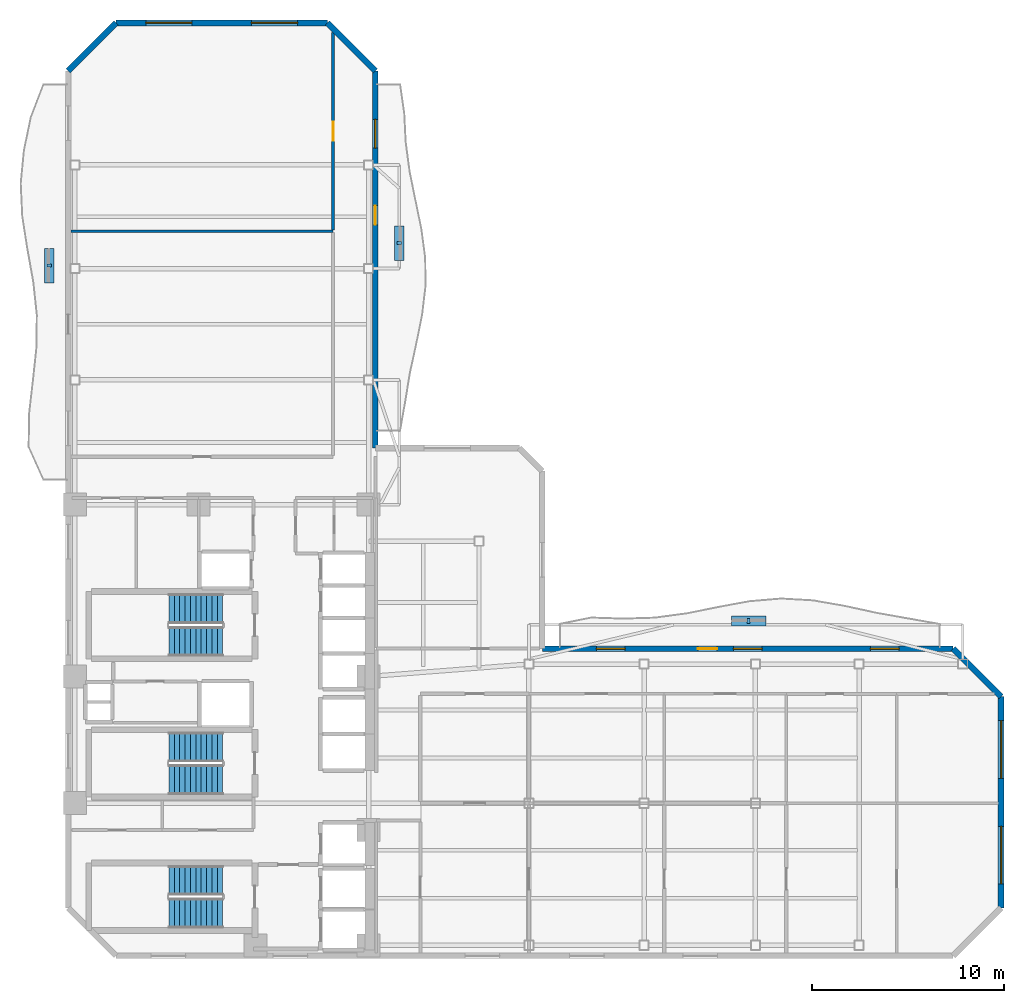
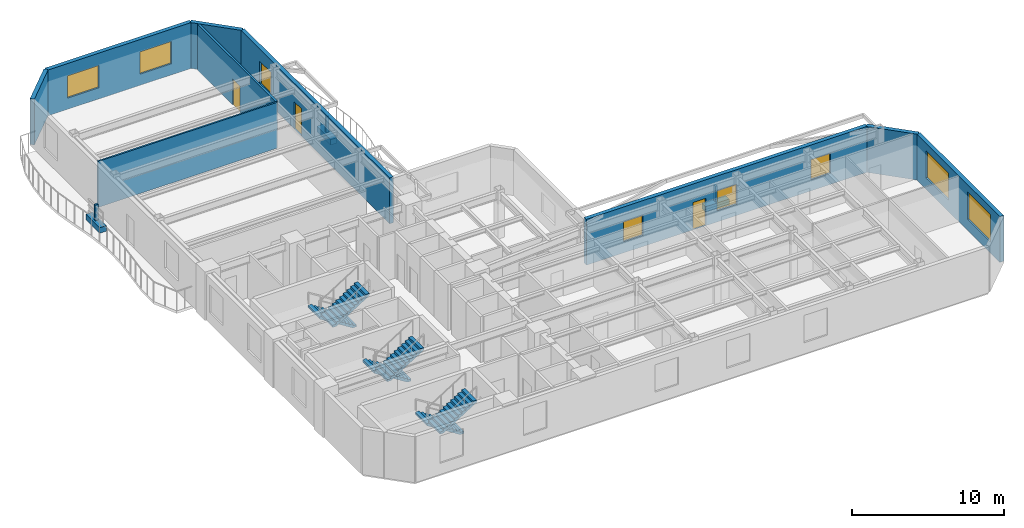
# One storey, part 6 of 9: 9 walls, 8 windows, 6 discrete accessories, 6 stair flights, 3 doors, 11 openings, 3 elements without a shape of their own.
"""IFC4 building model written with IfcOpenShell, lengths in metres."""

from ifc_helpers import new_model, si_unit, direction, frame, frame_2d, origin, origin_2d, place, context, subcontext, project, spatial, polyline, rectangle, outline, extrude, material, layer, layer_set, type_object, element, fill, aggregate, save


model = new_model("IFC4")

# Units and contexts
model_context = context("Model", 3, precision=1e-05, world=origin(), true_north=direction((0.0, 1.0)))
body_context = subcontext(model_context, "Body", "Model", "MODEL_VIEW")
ifc_project = project(units=[si_unit("LENGTHUNIT", "METRE"), si_unit("AREAUNIT", "SQUARE_METRE"), si_unit("VOLUMEUNIT", "CUBIC_METRE"), si_unit("PLANEANGLEUNIT", "RADIAN"), si_unit("MASSUNIT", "GRAM", prefix="KILO")], contexts=[model_context])

# Site, building, storey
site_placement = place(None, origin())
site = spatial("IfcSite", under=ifc_project, at=site_placement, CompositionType="ELEMENT")
building_placement = place(site_placement, origin())
building = spatial("IfcBuilding", under=site, at=building_placement, Name="Mawjaban Terraces University", CompositionType="ELEMENT")
storey_placement = place(building_placement, frame((0.0, 0.0, 138.5)))
storey = spatial("IfcBuildingStorey", under=building, at=storey_placement, Name="L33", CompositionType="ELEMENT", Elevation=138.5)

# Wall, opening, door
ifc_material_1 = material(Name="Fire-rated gypsum board on steel stud", Category="steel")
ifc_layer_1 = layer(ifc_material_1, 0.159912109375)
ifc_layer_set_1 = layer_set([ifc_layer_1], Name="Fire-rated gypsum board on steel stud")
wall_type_1 = type_object("IfcWallType", Name="CorridorPartition_160", PredefinedType="PARTITIONING", material=ifc_layer_set_1)
wall_1_placement = place(storey_placement, frame((35.800048828125, 48.094970703125, 0.0), z_axis=(0.0, 0.0, 1.0), x_axis=(0.0, -1.0, 0.0)))
wall_1 = element("IfcWall", 1, at=wall_1_placement, inside=storey, type_object=wall_type_1, Name="L33 Inner Terrace Gallery Corridor North Partition 36", PredefinedType="PARTITIONING", context=body_context, shape_type="SweptSolid", body=[
    extrude(rectangle(XDim=10.2880859375, YDim=0.159912109375, at=frame_2d((5.14404296875, 0.0))), origin(), (0.0, 0.0, 1.0), 3.68994140625),
])
opening_1_placement = place(wall_1_placement, frame((4.64404296875, 0.0, 0.0)))
opening_1 = element("IfcOpeningElement", 2, at=opening_1_placement, cuts=wall_1, Name="Opening ID-100", PredefinedType="OPENING", context=body_context, shape_type="SweptSolid", body=[
    extrude(rectangle(XDim=1.0, YDim=2.10009765625, at=frame_2d((0.5, 1.050048828125))), frame((0.0, 0.08984375, 0.0), z_axis=(0.0, -1.0, 0.0), x_axis=(1.0, 0.0, 0.0)), (0.0, 0.0, 1.0), 0.179931640625),
])
ifc_material_2 = material(Name="Powder-coated steel frame and solid acoustic timber leaf", Category="steel")
door_type_1 = type_object("IfcDoorType", Name="ClassroomDoor_1000x2100", OperationType="NOTDEFINED", PredefinedType="DOOR", material=ifc_material_2)
door_1_placement = place(opening_1_placement, origin())
door_1 = element("IfcDoor", 3, at=door_1_placement, inside=storey, type_object=door_type_1, Name="L33 Classroom 13 Door", OperationType="SINGLE_SWING_LEFT", OverallHeight=2.10009765625, OverallWidth=1.0, PredefinedType="DOOR", context=body_context, shape_type="SweptSolid", body=[
    extrude(rectangle(XDim=1.0, YDim=2.10009765625, at=frame_2d((0.5, 1.050048828125))), frame((0.0, 0.02490234375, 0.0), z_axis=(0.0, -1.0, 0.0), x_axis=(1.0, 0.0, 0.0)), (0.0, 0.0, 1.0), 0.050048828125),
])
fill(opening_1, door_1)

# Wall, openings, windows
ifc_material_3 = material(Name="Insulated terracotta rainscreen on concrete backup C40/50", Category="masonry")
ifc_layer_2 = layer(ifc_material_3, 0.300048828125)
ifc_layer_set_2 = layer_set([ifc_layer_2], Name="Insulated terracotta rainscreen on concrete backup C40/50")
wall_type_2 = type_object("IfcWallType", Name="ExtTerracottaWall_300", PredefinedType="SOLIDWALL", material=ifc_layer_set_2)
wall_2_placement = place(storey_placement, frame((70.60009765625, 2.5, 0.0), z_axis=(0.0, 0.0, 1.0), x_axis=(0.0, 1.0, 0.0)))
wall_2 = element("IfcWall", 4, at=wall_2_placement, inside=storey, type_object=wall_type_2, Name="L33 Exterior Terracotta Wall 3", PredefinedType="SOLIDWALL", context=body_context, shape_type="SweptSolid", body=[
    extrude(rectangle(XDim=11.0, YDim=0.300048828125, at=frame_2d((5.5, 0.0))), origin(), (0.0, 0.0, 1.0), 3.68994140625),
])
opening_2_placement = place(wall_2_placement, frame((1.25, 0.0, 0.89990234375)))
opening_2 = element("IfcOpeningElement", 5, at=opening_2_placement, cuts=wall_2, Name="Opening W-12", PredefinedType="OPENING", context=body_context, shape_type="SweptSolid", body=[
    extrude(rectangle(XDim=3.0, YDim=2.199951171875, at=frame_2d((1.5, 1.10009765625))), frame((0.0, 0.159912109375, 0.0), z_axis=(0.0, -1.0, 0.0), x_axis=(1.0, 0.0, 0.0)), (0.0, 0.0, 1.0), 0.320068359375),
])
opening_3_placement = place(wall_2_placement, frame((6.75, 0.0, 0.89990234375)))
opening_3 = element("IfcOpeningElement", 6, at=opening_3_placement, cuts=wall_2, Name="Opening W-12", PredefinedType="OPENING", context=body_context, shape_type="SweptSolid", body=[
    extrude(rectangle(XDim=3.0, YDim=2.199951171875, at=frame_2d((1.5, 1.10009765625))), frame((0.0, 0.159912109375, 0.0), z_axis=(0.0, -1.0, 0.0), x_axis=(1.0, 0.0, 0.0)), (0.0, 0.0, 1.0), 0.320068359375),
])
ifc_material_4 = material(Name="Low-E solar-control double glazing in thermally broken aluminium frame", Category="aluminium")
window_type_1 = type_object("IfcWindowType", Name="Win_3000x2200", PartitioningType="SINGLE_PANEL", PredefinedType="WINDOW", material=ifc_material_4)
window_1_placement = place(opening_2_placement, origin())
window_1 = element("IfcWindow", 7, at=window_1_placement, inside=storey, type_object=window_type_1, Name="L33 Facade Window 3.1", OverallHeight=2.199951171875, OverallWidth=3.0, PartitioningType="SINGLE_PANEL", PredefinedType="WINDOW", context=body_context, shape_type="SweptSolid", body=[
    extrude(rectangle(XDim=3.0, YDim=2.199951171875, at=frame_2d((1.5, 1.10009765625))), frame((0.0, 0.030029296875, 0.0), z_axis=(0.0, -1.0, 0.0), x_axis=(1.0, 0.0, 0.0)), (0.0, 0.0, 1.0), 0.06005859375),
])
fill(opening_2, window_1)
window_2_placement = place(opening_3_placement, origin())
window_2 = element("IfcWindow", 8, at=window_2_placement, inside=storey, type_object=window_type_1, Name="L33 Facade Window 3.2", OverallHeight=2.199951171875, OverallWidth=3.0, PartitioningType="SINGLE_PANEL", PredefinedType="WINDOW", context=body_context, shape_type="SweptSolid", body=[
    extrude(rectangle(XDim=3.0, YDim=2.199951171875, at=frame_2d((1.5, 1.10009765625))), frame((0.0, 0.030029296875, 0.0), z_axis=(0.0, -1.0, 0.0), x_axis=(1.0, 0.0, 0.0)), (0.0, 0.0, 1.0), 0.06005859375),
])
fill(opening_3, window_2)

# Wall
wall_3_placement = place(storey_placement, frame((70.60009765625, 13.5, 0.0), z_axis=(0.0, 0.0, 1.0), x_axis=(-0.707106781187, 0.707106781187, 0.0)))
element("IfcWall", 9, at=wall_3_placement, inside=storey, type_object=wall_type_2, Name="L33 Exterior Terracotta Wall 4", PredefinedType="SOLIDWALL", context=body_context, shape_type="SweptSolid", body=[
    extrude(rectangle(XDim=3.53564453125, YDim=0.300048828125, at=frame_2d((1.767822265625, 0.0))), origin(), (0.0, 0.0, 1.0), 3.68994140625),
])

# Wall, openings, door, windows
wall_4_placement = place(storey_placement, frame((68.10009765625, 16.0, 0.0), z_axis=(0.0, 0.0, 1.0), x_axis=(-1.0, 0.0, 0.0)))
wall_4 = element("IfcWall", 10, at=wall_4_placement, inside=storey, type_object=wall_type_2, Name="L33 Exterior Terracotta Wall 5", PredefinedType="SOLIDWALL", context=body_context, shape_type="SweptSolid", body=[
    extrude(rectangle(XDim=21.401123046875, YDim=0.300048828125, at=frame_2d((10.70068359375, 0.0))), origin(), (0.0, 0.0, 1.0), 3.68994140625),
])
opening_4_placement = place(wall_4_placement, frame((12.300048828125, 0.0, 0.0)))
opening_4 = element("IfcOpeningElement", 11, at=opening_4_placement, cuts=wall_4, Name="Opening BD-100", PredefinedType="OPENING", context=body_context, shape_type="SweptSolid", body=[
    extrude(rectangle(XDim=1.0, YDim=2.199951171875, at=frame_2d((0.5, 1.10009765625))), frame((0.0, 0.159912109375, 0.0), z_axis=(0.0, -1.0, 0.0), x_axis=(1.0, 0.0, 0.0)), (0.0, 0.0, 1.0), 0.320068359375),
])
opening_5_placement = place(wall_4_placement, frame((2.81689453125, 0.0, 0.89990234375)))
opening_5 = element("IfcOpeningElement", 12, at=opening_5_placement, cuts=wall_4, Name="Opening W-02", PredefinedType="OPENING", context=body_context, shape_type="SweptSolid", body=[
    extrude(rectangle(XDim=1.5, YDim=1.60009765625, at=frame_2d((0.75, 0.800048828125))), frame((0.0, 0.159912109375, 0.0), z_axis=(0.0, -1.0, 0.0), x_axis=(1.0, 0.0, 0.0)), (0.0, 0.0, 1.0), 0.320068359375),
])
opening_6_placement = place(wall_4_placement, frame((9.949951171875, 0.0, 0.89990234375)))
opening_6 = element("IfcOpeningElement", 13, at=opening_6_placement, cuts=wall_4, Name="Opening W-02", PredefinedType="OPENING", context=body_context, shape_type="SweptSolid", body=[
    extrude(rectangle(XDim=1.5, YDim=1.60009765625, at=frame_2d((0.75, 0.800048828125))), frame((0.0, 0.159912109375, 0.0), z_axis=(0.0, -1.0, 0.0), x_axis=(1.0, 0.0, 0.0)), (0.0, 0.0, 1.0), 0.320068359375),
])
opening_7_placement = place(wall_4_placement, frame((17.083984375, 0.0, 0.89990234375)))
opening_7 = element("IfcOpeningElement", 14, at=opening_7_placement, cuts=wall_4, Name="Opening W-02", PredefinedType="OPENING", context=body_context, shape_type="SweptSolid", body=[
    extrude(rectangle(XDim=1.5, YDim=1.60009765625, at=frame_2d((0.75, 0.800048828125))), frame((0.0, 0.159912109375, 0.0), z_axis=(0.0, -1.0, 0.0), x_axis=(1.0, 0.0, 0.0)), (0.0, 0.0, 1.0), 0.320068359375),
])
ifc_material_5 = material(Name="Thermally broken anodised aluminium and laminated safety glass", Category="aluminium")
door_type_2 = type_object("IfcDoorType", Name="BalconyGlazedDoor_1000x2200", OperationType="NOTDEFINED", PredefinedType="DOOR", material=ifc_material_5)
door_2_placement = place(opening_4_placement, origin())
door_2 = element("IfcDoor", 15, at=door_2_placement, inside=storey, type_object=door_type_2, Name="L33 Balcony Access Door inner_north", OperationType="SINGLE_SWING_RIGHT", OverallHeight=2.199951171875, OverallWidth=1.0, PredefinedType="DOOR", context=body_context, shape_type="SweptSolid", body=[
    extrude(rectangle(XDim=1.0, YDim=2.199951171875, at=frame_2d((0.5, 1.10009765625))), frame((0.0, 0.02490234375, 0.0), z_axis=(0.0, -1.0, 0.0), x_axis=(1.0, 0.0, 0.0)), (0.0, 0.0, 1.0), 0.050048828125),
])
fill(opening_4, door_2)
window_type_2 = type_object("IfcWindowType", Name="Win_1500x1600", PartitioningType="SINGLE_PANEL", PredefinedType="WINDOW", material=ifc_material_4)
window_3_placement = place(opening_5_placement, origin())
window_3 = element("IfcWindow", 16, at=window_3_placement, inside=storey, type_object=window_type_2, Name="L33 Facade Window 5.1", OverallHeight=1.60009765625, OverallWidth=1.5, PartitioningType="SINGLE_PANEL", PredefinedType="WINDOW", context=body_context, shape_type="SweptSolid", body=[
    extrude(rectangle(XDim=1.5, YDim=1.60009765625, at=frame_2d((0.75, 0.800048828125))), frame((0.0, 0.030029296875, 0.0), z_axis=(0.0, -1.0, 0.0), x_axis=(1.0, 0.0, 0.0)), (0.0, 0.0, 1.0), 0.06005859375),
])
fill(opening_5, window_3)
window_4_placement = place(opening_6_placement, origin())
window_4 = element("IfcWindow", 17, at=window_4_placement, inside=storey, type_object=window_type_2, Name="L33 Facade Window 5.2", OverallHeight=1.60009765625, OverallWidth=1.5, PartitioningType="SINGLE_PANEL", PredefinedType="WINDOW", context=body_context, shape_type="SweptSolid", body=[
    extrude(rectangle(XDim=1.5, YDim=1.60009765625, at=frame_2d((0.75, 0.800048828125))), frame((0.0, 0.030029296875, 0.0), z_axis=(0.0, -1.0, 0.0), x_axis=(1.0, 0.0, 0.0)), (0.0, 0.0, 1.0), 0.06005859375),
])
fill(opening_6, window_4)
window_5_placement = place(opening_7_placement, origin())
window_5 = element("IfcWindow", 18, at=window_5_placement, inside=storey, type_object=window_type_2, Name="L33 Facade Window 5.3", OverallHeight=1.60009765625, OverallWidth=1.5, PartitioningType="SINGLE_PANEL", PredefinedType="WINDOW", context=body_context, shape_type="SweptSolid", body=[
    extrude(rectangle(XDim=1.5, YDim=1.60009765625, at=frame_2d((0.75, 0.800048828125))), frame((0.0, 0.030029296875, 0.0), z_axis=(0.0, -1.0, 0.0), x_axis=(1.0, 0.0, 0.0)), (0.0, 0.0, 1.0), 0.06005859375),
])
fill(opening_7, window_5)

# Wall, openings, door, window
wall_5_placement = place(storey_placement, frame((38.0, 26.449951171875, 0.0), z_axis=(0.0, 0.0, 1.0), x_axis=(0.0, 1.0, 0.0)))
wall_5 = element("IfcWall", 19, at=wall_5_placement, inside=storey, type_object=wall_type_2, Name="L33 Exterior Terracotta Wall 9", PredefinedType="SOLIDWALL", context=body_context, shape_type="SweptSolid", body=[
    extrude(rectangle(XDim=19.650146484375, YDim=0.300048828125, at=frame_2d((9.8251953125, 0.0))), origin(), (0.0, 0.0, 1.0), 3.68994140625),
])
opening_8_placement = place(wall_5_placement, frame((11.625, 0.0, 0.0)))
opening_8 = element("IfcOpeningElement", 20, at=opening_8_placement, cuts=wall_5, Name="Opening BD-100", PredefinedType="OPENING", context=body_context, shape_type="SweptSolid", body=[
    extrude(rectangle(XDim=1.0, YDim=2.199951171875, at=frame_2d((0.5, 1.10009765625))), frame((0.0, 0.159912109375, 0.0), z_axis=(0.0, -1.0, 0.0), x_axis=(1.0, 0.0, 0.0)), (0.0, 0.0, 1.0), 0.320068359375),
])
opening_9_placement = place(wall_5_placement, frame((15.625, 0.0, 0.89990234375)))
opening_9 = element("IfcOpeningElement", 21, at=opening_9_placement, cuts=wall_5, Name="Opening W-06", PredefinedType="OPENING", context=body_context, shape_type="SweptSolid", body=[
    extrude(rectangle(XDim=1.5, YDim=1.800048828125, at=frame_2d((0.75, 0.89990234375))), frame((0.0, 0.159912109375, 0.0), z_axis=(0.0, -1.0, 0.0), x_axis=(1.0, 0.0, 0.0)), (0.0, 0.0, 1.0), 0.320068359375),
])
door_3_placement = place(opening_8_placement, origin())
door_3 = element("IfcDoor", 22, at=door_3_placement, inside=storey, type_object=door_type_2, Name="L33 Balcony Access Door inner_east", OperationType="SINGLE_SWING_RIGHT", OverallHeight=2.199951171875, OverallWidth=1.0, PredefinedType="DOOR", context=body_context, shape_type="SweptSolid", body=[
    extrude(rectangle(XDim=1.0, YDim=2.199951171875, at=frame_2d((0.5, 1.10009765625))), frame((0.0, 0.02490234375, 0.0), z_axis=(0.0, -1.0, 0.0), x_axis=(1.0, 0.0, 0.0)), (0.0, 0.0, 1.0), 0.050048828125),
])
fill(opening_8, door_3)
window_type_3 = type_object("IfcWindowType", Name="Win_1500x1800", PartitioningType="SINGLE_PANEL", PredefinedType="WINDOW", material=ifc_material_4)
window_6_placement = place(opening_9_placement, origin())
window_6 = element("IfcWindow", 23, at=window_6_placement, inside=storey, type_object=window_type_3, Name="L33 Facade Window 9.3", OverallHeight=1.800048828125, OverallWidth=1.5, PartitioningType="SINGLE_PANEL", PredefinedType="WINDOW", context=body_context, shape_type="SweptSolid", body=[
    extrude(rectangle(XDim=1.5, YDim=1.800048828125, at=frame_2d((0.75, 0.89990234375))), frame((0.0, 0.030029296875, 0.0), z_axis=(0.0, -1.0, 0.0), x_axis=(1.0, 0.0, 0.0)), (0.0, 0.0, 1.0), 0.06005859375),
])
fill(opening_9, window_6)

# Wall
wall_6_placement = place(storey_placement, frame((38.0, 46.10009765625, 0.0), z_axis=(0.0, 0.0, 1.0), x_axis=(-0.707106781187, 0.707106781187, 0.0)))
element("IfcWall", 24, at=wall_6_placement, inside=storey, type_object=wall_type_2, Name="L33 Exterior Terracotta Wall 10", PredefinedType="SOLIDWALL", context=body_context, shape_type="SweptSolid", body=[
    extrude(rectangle(XDim=3.53564453125, YDim=0.300048828125, at=frame_2d((1.767822265625, 0.0))), origin(), (0.0, 0.0, 1.0), 3.68994140625),
])

# Wall, openings, windows
wall_7_placement = place(storey_placement, frame((35.5, 48.60009765625, 0.0), z_axis=(0.0, 0.0, 1.0), x_axis=(-1.0, 0.0, 0.0)))
wall_7 = element("IfcWall", 25, at=wall_7_placement, inside=storey, type_object=wall_type_2, Name="L33 Exterior Terracotta Wall 11", PredefinedType="SOLIDWALL", context=body_context, shape_type="SweptSolid", body=[
    extrude(rectangle(XDim=11.0, YDim=0.300048828125, at=frame_2d((5.5, 0.0))), origin(), (0.0, 0.0, 1.0), 3.68994140625),
])
opening_10_placement = place(wall_7_placement, frame((1.550048828125, 0.0, 0.89990234375)))
opening_10 = element("IfcOpeningElement", 26, at=opening_10_placement, cuts=wall_7, Name="Opening W-08", PredefinedType="OPENING", context=body_context, shape_type="SweptSolid", body=[
    extrude(rectangle(XDim=2.39990234375, YDim=1.800048828125, at=frame_2d((1.199951171875, 0.89990234375))), frame((0.0, 0.159912109375, 0.0), z_axis=(0.0, -1.0, 0.0), x_axis=(1.0, 0.0, 0.0)), (0.0, 0.0, 1.0), 0.320068359375),
])
opening_11_placement = place(wall_7_placement, frame((7.050048828125, 0.0, 0.89990234375)))
opening_11 = element("IfcOpeningElement", 27, at=opening_11_placement, cuts=wall_7, Name="Opening W-08", PredefinedType="OPENING", context=body_context, shape_type="SweptSolid", body=[
    extrude(rectangle(XDim=2.39990234375, YDim=1.800048828125, at=frame_2d((1.199951171875, 0.89990234375))), frame((0.0, 0.159912109375, 0.0), z_axis=(0.0, -1.0, 0.0), x_axis=(1.0, 0.0, 0.0)), (0.0, 0.0, 1.0), 0.320068359375),
])
window_type_4 = type_object("IfcWindowType", Name="Win_2400x1800", PartitioningType="SINGLE_PANEL", PredefinedType="WINDOW", material=ifc_material_4)
window_7_placement = place(opening_10_placement, origin())
window_7 = element("IfcWindow", 28, at=window_7_placement, inside=storey, type_object=window_type_4, Name="L33 Facade Window 11.1", OverallHeight=1.800048828125, OverallWidth=2.39990234375, PartitioningType="SINGLE_PANEL", PredefinedType="WINDOW", context=body_context, shape_type="SweptSolid", body=[
    extrude(rectangle(XDim=2.39990234375, YDim=1.800048828125, at=frame_2d((1.199951171875, 0.89990234375))), frame((0.0, 0.030029296875, 0.0), z_axis=(0.0, -1.0, 0.0), x_axis=(1.0, 0.0, 0.0)), (0.0, 0.0, 1.0), 0.06005859375),
])
fill(opening_10, window_7)
window_8_placement = place(opening_11_placement, origin())
window_8 = element("IfcWindow", 29, at=window_8_placement, inside=storey, type_object=window_type_4, Name="L33 Facade Window 11.2", OverallHeight=1.800048828125, OverallWidth=2.39990234375, PartitioningType="SINGLE_PANEL", PredefinedType="WINDOW", context=body_context, shape_type="SweptSolid", body=[
    extrude(rectangle(XDim=2.39990234375, YDim=1.800048828125, at=frame_2d((1.199951171875, 0.89990234375))), frame((0.0, 0.030029296875, 0.0), z_axis=(0.0, -1.0, 0.0), x_axis=(1.0, 0.0, 0.0)), (0.0, 0.0, 1.0), 0.06005859375),
])
fill(opening_11, window_8)

# Walls
wall_8_placement = place(storey_placement, frame((24.5, 48.60009765625, 0.0), z_axis=(0.0, 0.0, 1.0), x_axis=(-0.707106781187, -0.707106781187, 0.0)))
element("IfcWall", 30, at=wall_8_placement, inside=storey, type_object=wall_type_2, Name="L33 Exterior Terracotta Wall 12", PredefinedType="SOLIDWALL", context=body_context, shape_type="SweptSolid", body=[
    extrude(rectangle(XDim=3.53564453125, YDim=0.300048828125, at=frame_2d((1.767822265625, 0.0))), origin(), (0.0, 0.0, 1.0), 3.68994140625),
])
ifc_material_6 = material(Name="Gypsum plasterboard on steel stud", Category="steel")
ifc_layer_3 = layer(ifc_material_6, 0.125)
ifc_layer_set_3 = layer_set([ifc_layer_3], Name="Gypsum plasterboard on steel stud")
wall_type_3 = type_object("IfcWallType", Name="OfficePartition_125", PredefinedType="PARTITIONING", material=ifc_layer_set_3)
wall_9_placement = place(storey_placement, frame((35.800048828125, 37.75, 0.0), z_axis=(0.0, 0.0, 1.0), x_axis=(-1.0, 0.0, 0.0)))
element("IfcWall", 31, at=wall_9_placement, inside=storey, type_object=wall_type_3, Name="L33 Departmental Office 12 Partition 12", PredefinedType="PARTITIONING", context=body_context, shape_type="SweptSolid", body=[
    extrude(rectangle(XDim=13.655029296875, YDim=0.125, at=frame_2d((6.82763671875, 0.0))), origin(), (0.0, 0.0, 1.0), 3.68994140625),
])

# Stair, stair flights
ifc_material_7 = material(Name="Concrete C40/50", Category="concrete")
stair_type = type_object("IfcStairType", Name="Stair_Core1550_H39", PredefinedType="HALF_TURN_STAIR", material=ifc_material_7)
stair_1_placement = place(storey_placement, origin())
stair_1 = element("IfcStair", 32, at=stair_1_placement, inside=storey, type_object=stair_type, Name="L33 Core Exit Stair 1", PredefinedType="HALF_TURN_STAIR")
stair_flight_type = type_object("IfcStairFlightType", Name="Flight_Core1550_H39", PredefinedType="STRAIGHT", material=ifc_material_7)
stair_flight_1_placement = place(storey_placement, frame((30.050048828125, 3.925048828125, 0.0), z_axis=(0.0, 0.0, 1.0), x_axis=(-1.0, 0.0, 0.0)))
stair_flight_1 = element("IfcStairFlight", 33, at=stair_flight_1_placement, type_object=stair_flight_type, Name="ST-1 flight 1", NumberOfRisers=11, NumberOfTreads=10, PredefinedType="STRAIGHT", RiserHeight=0.177272727, TreadLength=0.28, context=body_context, shape_type="SweptSolid", body=[
    extrude(outline(polyline([(0.0, 0.0), (0.0, 0.17724609375), (0.280029296875, 0.17724609375), (0.280029296875, 0.3544921875), (0.56005859375, 0.3544921875), (0.56005859375, 0.53173828125), (0.840087890625, 0.53173828125), (0.840087890625, 0.708984375), (1.1201171875, 0.708984375), (1.1201171875, 0.886474609375), (1.39990234375, 0.886474609375), (1.39990234375, 1.063720703125), (1.679931640625, 1.063720703125), (1.679931640625, 1.240966796875), (1.9599609375, 1.240966796875), (1.9599609375, 1.418212890625), (2.239990234375, 1.418212890625), (2.239990234375, 1.595458984375), (2.52001953125, 1.595458984375), (2.52001953125, 1.772705078125), (2.800048828125, 1.772705078125), (2.800048828125, 1.949951171875), (2.800048828125, 1.59521484375), (0.2802734375, 0.0), (0.0, 0.0)])), frame((0.0, 0.77490234375, 0.0), z_axis=(0.0, -1.0, 0.0), x_axis=(1.0, 0.0, 0.0)), (0.0, 0.0, 1.0), 1.550048828125),
])
stair_flight_2_placement = place(storey_placement, frame((27.25, 2.22509765625, 1.949951171875), z_axis=(0.0, 0.0, 1.0), x_axis=(1.0, 0.0, 0.0)))
stair_flight_2 = element("IfcStairFlight", 34, at=stair_flight_2_placement, type_object=stair_flight_type, Name="ST-1 flight 2", NumberOfRisers=11, NumberOfTreads=10, PredefinedType="STRAIGHT", RiserHeight=0.177272727, TreadLength=0.28, context=body_context, shape_type="SweptSolid", body=[
    extrude(outline(polyline([(0.0, 0.0), (0.0, 0.17724609375), (0.280029296875, 0.17724609375), (0.280029296875, 0.3544921875), (0.56005859375, 0.3544921875), (0.56005859375, 0.53173828125), (0.840087890625, 0.53173828125), (0.840087890625, 0.708984375), (1.1201171875, 0.708984375), (1.1201171875, 0.886474609375), (1.39990234375, 0.886474609375), (1.39990234375, 1.063720703125), (1.679931640625, 1.063720703125), (1.679931640625, 1.240966796875), (1.9599609375, 1.240966796875), (1.9599609375, 1.418212890625), (2.239990234375, 1.418212890625), (2.239990234375, 1.595458984375), (2.52001953125, 1.595458984375), (2.52001953125, 1.772705078125), (2.800048828125, 1.772705078125), (2.800048828125, 1.949951171875), (2.800048828125, 1.59521484375), (0.2802734375, 0.0), (0.0, 0.0)])), frame((0.0, 0.77490234375, 0.0), z_axis=(0.0, -1.0, 0.0), x_axis=(1.0, 0.0, 0.0)), (0.0, 0.0, 1.0), 1.550048828125),
])
aggregate(stair_1, [stair_flight_1, stair_flight_2])

stair_2_placement = place(storey_placement, origin())
stair_2 = element("IfcStair", 35, at=stair_2_placement, inside=storey, type_object=stair_type, Name="L33 Core Exit Stair 2", PredefinedType="HALF_TURN_STAIR")
stair_flight_3_placement = place(storey_placement, frame((30.050048828125, 18.074951171875, 0.0), z_axis=(0.0, 0.0, 1.0), x_axis=(-1.0, 0.0, 0.0)))
stair_flight_3 = element("IfcStairFlight", 36, at=stair_flight_3_placement, type_object=stair_flight_type, Name="ST-2 flight 1", NumberOfRisers=11, NumberOfTreads=10, PredefinedType="STRAIGHT", RiserHeight=0.177272727, TreadLength=0.28, context=body_context, shape_type="SweptSolid", body=[
    extrude(outline(polyline([(0.0, 0.0), (0.0, 0.17724609375), (0.280029296875, 0.17724609375), (0.280029296875, 0.3544921875), (0.56005859375, 0.3544921875), (0.56005859375, 0.53173828125), (0.840087890625, 0.53173828125), (0.840087890625, 0.708984375), (1.1201171875, 0.708984375), (1.1201171875, 0.886474609375), (1.39990234375, 0.886474609375), (1.39990234375, 1.063720703125), (1.679931640625, 1.063720703125), (1.679931640625, 1.240966796875), (1.9599609375, 1.240966796875), (1.9599609375, 1.418212890625), (2.239990234375, 1.418212890625), (2.239990234375, 1.595458984375), (2.52001953125, 1.595458984375), (2.52001953125, 1.772705078125), (2.800048828125, 1.772705078125), (2.800048828125, 1.949951171875), (2.800048828125, 1.59521484375), (0.2802734375, 0.0), (0.0, 0.0)])), frame((0.0, 0.77490234375, 0.0), z_axis=(0.0, -1.0, 0.0), x_axis=(1.0, 0.0, 0.0)), (0.0, 0.0, 1.0), 1.550048828125),
])
stair_flight_4_placement = place(storey_placement, frame((27.25, 16.375, 1.949951171875), z_axis=(0.0, 0.0, 1.0), x_axis=(1.0, 0.0, 0.0)))
stair_flight_4 = element("IfcStairFlight", 37, at=stair_flight_4_placement, type_object=stair_flight_type, Name="ST-2 flight 2", NumberOfRisers=11, NumberOfTreads=10, PredefinedType="STRAIGHT", RiserHeight=0.177272727, TreadLength=0.28, context=body_context, shape_type="SweptSolid", body=[
    extrude(outline(polyline([(0.0, 0.0), (0.0, 0.17724609375), (0.280029296875, 0.17724609375), (0.280029296875, 0.3544921875), (0.56005859375, 0.3544921875), (0.56005859375, 0.53173828125), (0.840087890625, 0.53173828125), (0.840087890625, 0.708984375), (1.1201171875, 0.708984375), (1.1201171875, 0.886474609375), (1.39990234375, 0.886474609375), (1.39990234375, 1.063720703125), (1.679931640625, 1.063720703125), (1.679931640625, 1.240966796875), (1.9599609375, 1.240966796875), (1.9599609375, 1.418212890625), (2.239990234375, 1.418212890625), (2.239990234375, 1.595458984375), (2.52001953125, 1.595458984375), (2.52001953125, 1.772705078125), (2.800048828125, 1.772705078125), (2.800048828125, 1.949951171875), (2.800048828125, 1.59521484375), (0.2802734375, 0.0), (0.0, 0.0)])), frame((0.0, 0.77490234375, 0.0), z_axis=(0.0, -1.0, 0.0), x_axis=(1.0, 0.0, 0.0)), (0.0, 0.0, 1.0), 1.550048828125),
])
aggregate(stair_2, [stair_flight_3, stair_flight_4])

stair_3_placement = place(storey_placement, origin())
stair_3 = element("IfcStair", 38, at=stair_3_placement, inside=storey, type_object=stair_type, Name="L33 Core Exit Stair 3", PredefinedType="HALF_TURN_STAIR")
stair_flight_5_placement = place(storey_placement, frame((30.050048828125, 10.875, 0.0), z_axis=(0.0, 0.0, 1.0), x_axis=(-1.0, 0.0, 0.0)))
stair_flight_5 = element("IfcStairFlight", 39, at=stair_flight_5_placement, type_object=stair_flight_type, Name="ST-3 flight 1", NumberOfRisers=11, NumberOfTreads=10, PredefinedType="STRAIGHT", RiserHeight=0.177272727, TreadLength=0.28, context=body_context, shape_type="SweptSolid", body=[
    extrude(outline(polyline([(0.0, 0.0), (0.0, 0.17724609375), (0.280029296875, 0.17724609375), (0.280029296875, 0.3544921875), (0.56005859375, 0.3544921875), (0.56005859375, 0.53173828125), (0.840087890625, 0.53173828125), (0.840087890625, 0.708984375), (1.1201171875, 0.708984375), (1.1201171875, 0.886474609375), (1.39990234375, 0.886474609375), (1.39990234375, 1.063720703125), (1.679931640625, 1.063720703125), (1.679931640625, 1.240966796875), (1.9599609375, 1.240966796875), (1.9599609375, 1.418212890625), (2.239990234375, 1.418212890625), (2.239990234375, 1.595458984375), (2.52001953125, 1.595458984375), (2.52001953125, 1.772705078125), (2.800048828125, 1.772705078125), (2.800048828125, 1.949951171875), (2.800048828125, 1.59521484375), (0.2802734375, 0.0), (0.0, 0.0)])), frame((0.0, 0.77490234375, 0.0), z_axis=(0.0, -1.0, 0.0), x_axis=(1.0, 0.0, 0.0)), (0.0, 0.0, 1.0), 1.550048828125),
])
stair_flight_6_placement = place(storey_placement, frame((27.25, 9.175048828125, 1.949951171875), z_axis=(0.0, 0.0, 1.0), x_axis=(1.0, 0.0, 0.0)))
stair_flight_6 = element("IfcStairFlight", 40, at=stair_flight_6_placement, type_object=stair_flight_type, Name="ST-3 flight 2", NumberOfRisers=11, NumberOfTreads=10, PredefinedType="STRAIGHT", RiserHeight=0.177272727, TreadLength=0.28, context=body_context, shape_type="SweptSolid", body=[
    extrude(outline(polyline([(0.0, 0.0), (0.0, 0.17724609375), (0.280029296875, 0.17724609375), (0.280029296875, 0.3544921875), (0.56005859375, 0.3544921875), (0.56005859375, 0.53173828125), (0.840087890625, 0.53173828125), (0.840087890625, 0.708984375), (1.1201171875, 0.708984375), (1.1201171875, 0.886474609375), (1.39990234375, 0.886474609375), (1.39990234375, 1.063720703125), (1.679931640625, 1.063720703125), (1.679931640625, 1.240966796875), (1.9599609375, 1.240966796875), (1.9599609375, 1.418212890625), (2.239990234375, 1.418212890625), (2.239990234375, 1.595458984375), (2.52001953125, 1.595458984375), (2.52001953125, 1.772705078125), (2.800048828125, 1.772705078125), (2.800048828125, 1.949951171875), (2.800048828125, 1.59521484375), (0.2802734375, 0.0), (0.0, 0.0)])), frame((0.0, 0.77490234375, 0.0), z_axis=(0.0, -1.0, 0.0), x_axis=(1.0, 0.0, 0.0)), (0.0, 0.0, 1.0), 1.550048828125),
])
aggregate(stair_3, [stair_flight_5, stair_flight_6])

# Discrete accessories
ifc_material_8 = material(Name="Stainless steel 316L", Category="steel")
discrete_accessory_type_1 = type_object("IfcDiscreteAccessoryType", Name="FacadeScreenBracket_Steel", PredefinedType="BRACKET", material=ifc_material_8)
for number, where, z_axis, x_axis, name in (
    (41, (21.012939453125, 35.958984375, 0.419921875), (0.0, 0.0, 1.0), (0.0, 1.0, 0.0), "L33 Balcony Screen Support Bracket west"),
    (42, (57.446044921875, 17.43994140625, 0.419921875), (0.0, 0.0, 1.0), (1.0, 0.0, 0.0), "L33 Balcony Screen Support Bracket inner_north"),
    (43, (39.2490234375, 37.126953125, 0.419921875), (0.0, 0.0, 1.0), (0.0, 1.0, 0.0), "L33 Balcony Screen Support Bracket inner_east"),
):
    element("IfcDiscreteAccessory", number, at=place(storey_placement, frame(where, z_axis=z_axis, x_axis=x_axis)), inside=storey, type_object=discrete_accessory_type_1, Name=name, PredefinedType="BRACKET", context=body_context, shape_type="SweptSolid", body=[
        extrude(rectangle(XDim=0.159912109375, YDim=0.239990234375, at=origin_2d()), origin(), (0.0, 0.0, 1.0), 1.300048828125),
    ])
ifc_material_9 = material(Name="Precast architectural terracotta planter with engineered planting soil", Category="masonry")
discrete_accessory_type_2 = type_object("IfcDiscreteAccessoryType", Name="IrrigatedPlanterTrough_450", PredefinedType="USERDEFINED", material=ifc_material_9)
for number, where, z_axis, x_axis, name in (
    (44, (21.012939453125, 35.958984375, -0.0048828125), (0.0, 0.0, 1.0), (0.0, 1.0, 0.0), "L33 Balcony Irrigated Planter west"),
    (45, (57.446044921875, 17.43994140625, -0.0048828125), (0.0, 0.0, 1.0), (1.0, 0.0, 0.0), "L33 Balcony Irrigated Planter inner_north"),
    (46, (39.2490234375, 37.126953125, -0.0048828125), (0.0, 0.0, 1.0), (0.0, 1.0, 0.0), "L33 Balcony Irrigated Planter inner_east"),
):
    element("IfcDiscreteAccessory", number, at=place(storey_placement, frame(where, z_axis=z_axis, x_axis=x_axis)), inside=storey, type_object=discrete_accessory_type_2, Name=name, ObjectType="PLANTER", PredefinedType="USERDEFINED", context=body_context, shape_type="SweptSolid", body=[
        extrude(rectangle(XDim=1.800048828125, YDim=0.5, at=origin_2d()), origin(), (0.0, 0.0, 1.0), 0.449951171875),
    ])

save(model, "model.ifc")
